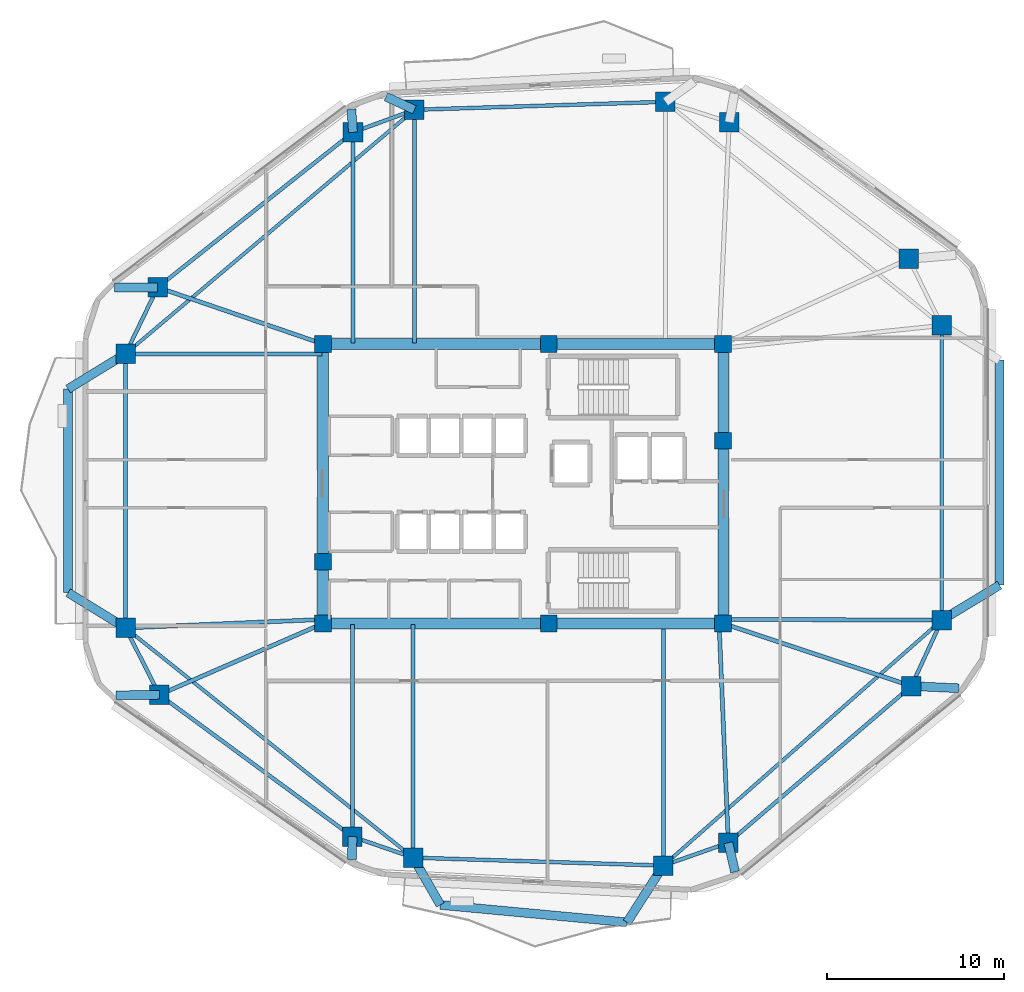
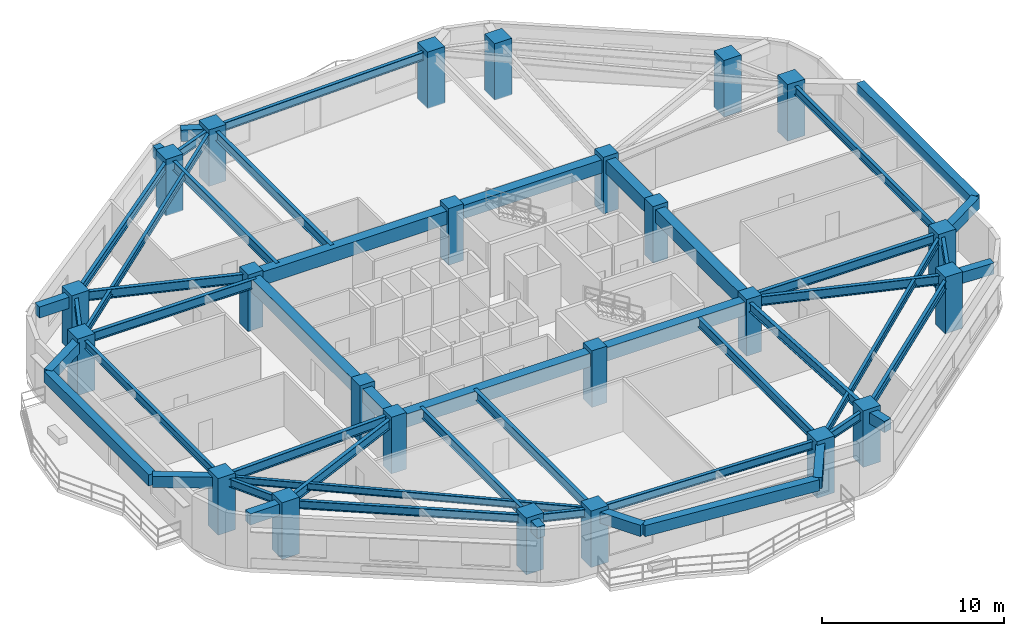
# One storey, part 1 of 9: 51 beams, 24 columns.
"""IFC4 building model written with IfcOpenShell, lengths in metres."""

from ifc_helpers import new_model, si_unit, direction, frame, origin, origin_2d, place, context, subcontext, project, spatial, rectangle, i_section, extrude, material, material_profile, profile_set, type_object, element, save


model = new_model("IFC4")

# Units and contexts
model_context = context("Model", 3, precision=1e-05, world=origin(), true_north=direction((0.0, 1.0)))
body_context = subcontext(model_context, "Body", "Model", "MODEL_VIEW")
ifc_project = project(units=[si_unit("LENGTHUNIT", "METRE"), si_unit("AREAUNIT", "SQUARE_METRE"), si_unit("VOLUMEUNIT", "CUBIC_METRE"), si_unit("PLANEANGLEUNIT", "RADIAN"), si_unit("MASSUNIT", "GRAM", prefix="KILO")], contexts=[model_context])

# Site, building, storey
site_placement = place(None, origin())
site = spatial("IfcSite", under=ifc_project, at=site_placement, CompositionType="ELEMENT")
building_placement = place(site_placement, origin())
building = spatial("IfcBuilding", under=site, at=building_placement, Name="Zulverin Broadcast Headquarters", CompositionType="ELEMENT")
storey_placement = place(building_placement, frame((0.0, 0.0, 144.0)))
storey = spatial("IfcBuildingStorey", under=building, at=storey_placement, Name="L36", CompositionType="ELEMENT", Elevation=144.0)

# Columns
ifc_material_1 = material(Name="Concrete C60/75", Category="concrete")
ifc_material_profile_1 = material_profile(ifc_material_1, rectangle(XDim=1.10009765625, YDim=1.10009765625, at=origin_2d()), Name="Concrete C60/75", Category="concrete")
ifc_profile_set_1 = profile_set([ifc_material_profile_1], Name="Concrete C60/75")
column_type_1 = type_object("IfcColumnType", Name="COL-RC-1100", PredefinedType="COLUMN", material=ifc_profile_set_1)
for number, where, z_axis, x_axis, name in (
    (1, (30.80859375, 4.12744140625, 0.0), (0.0, 0.0, 1.0), (1.0, 0.0, 0.0), "L36 Perimeter Column T01"),
    (2, (44.909912109375, 3.68017578125, 0.0), (0.0, 0.0, 1.0), (1.0, 0.0, 0.0), "L36 Perimeter Column T02"),
    (3, (48.569580078125, 4.967041015625, 0.0), (0.0, 0.0, 1.0), (1.0, 0.0, 0.0), "L36 Perimeter Column T03"),
    (4, (58.886962890625, 13.798095703125, 0.0), (0.0, 0.0, 1.0), (1.0, 0.0, 0.0), "L36 Perimeter Column T04"),
    (5, (60.60009765625, 17.519287109375, 0.0), (0.0, 0.0, 1.0), (1.0, 0.0, 0.0), "L36 Perimeter Column T05"),
    (6, (60.60009765625, 34.12158203125, 0.0), (0.0, 0.0, 1.0), (1.0, 0.0, 0.0), "L36 Perimeter Column T06"),
    (7, (58.738037109375, 37.877685546875, 0.0), (0.0, 0.0, 1.0), (1.0, 0.0, 0.0), "L36 Perimeter Column T07"),
    (8, (48.62158203125, 45.574951171875, 0.0), (0.0, 0.0, 1.0), (1.0, 0.0, 0.0), "L36 Perimeter Column T08"),
    (9, (45.027587890625, 46.7236328125, 0.0), (0.0, 0.0, 1.0), (1.0, 0.0, 0.0), "L36 Perimeter Column T09"),
    (10, (30.882080078125, 46.27490234375, 0.0), (0.0, 0.0, 1.0), (1.0, 0.0, 0.0), "L36 Perimeter Column T10"),
    (11, (27.416259765625, 45.00439453125, 0.0), (0.0, 0.0, 1.0), (1.0, 0.0, 0.0), "L36 Perimeter Column T11"),
    (12, (16.40869140625, 36.26806640625, 0.0), (0.0, 0.0, 1.0), (1.0, 0.0, 0.0), "L36 Perimeter Column T12"),
    (13, (14.60009765625, 32.523193359375, 0.0), (0.0, 0.0, 1.0), (1.0, 0.0, 0.0), "L36 Perimeter Column T13"),
    (14, (14.60009765625, 17.072021484375, 0.0), (0.0, 0.0, 1.0), (1.0, 0.0, 0.0), "L36 Perimeter Column T14"),
    (15, (16.50537109375, 13.306884765625, 0.0), (0.0, 0.0, 1.0), (1.0, 0.0, 0.0), "L36 Perimeter Column T15"),
    (16, (27.38720703125, 5.309814453125, 0.0), (0.0, 0.0, 1.0), (1.0, 0.0, 0.0), "L36 Perimeter Column T16"),
):
    element("IfcColumn", number, at=place(storey_placement, frame(where, z_axis=z_axis, x_axis=x_axis)), inside=storey, type_object=column_type_1, Name=name, PredefinedType="COLUMN", context=body_context, shape_type="SweptSolid", body=[
        extrude(rectangle(XDim=1.10009765625, YDim=1.10009765625, at=origin_2d()), origin(), (0.0, 0.0, 1.0), 3.800048828125),
    ])
ifc_material_2 = material(Name="Concrete C50/60", Category="concrete")
ifc_material_profile_2 = material_profile(ifc_material_2, rectangle(XDim=0.949951171875, YDim=0.949951171875, at=origin_2d()), Name="Concrete C50/60", Category="concrete")
ifc_profile_set_2 = profile_set([ifc_material_profile_2], Name="Concrete C50/60")
column_type_2 = type_object("IfcColumnType", Name="PIL-RC-950", PredefinedType="PILASTER", material=ifc_profile_set_2)
for number, where, z_axis, x_axis, name in (
    (17, (25.72509765625, 17.324951171875, 0.0), (0.0, 0.0, 1.0), (1.0, 0.0, 0.0), "L36 Core Pilaster K01"),
    (18, (38.449951171875, 17.324951171875, 0.0), (0.0, 0.0, 1.0), (1.0, 0.0, 0.0), "L36 Core Pilaster K02"),
    (19, (48.27490234375, 17.324951171875, 0.0), (0.0, 0.0, 1.0), (1.0, 0.0, 0.0), "L36 Core Pilaster K03"),
    (20, (48.27490234375, 27.6201171875, 0.0), (0.0, 0.0, 1.0), (1.0, 0.0, 0.0), "L36 Core Pilaster K04"),
    (21, (48.27490234375, 33.074951171875, 0.0), (0.0, 0.0, 1.0), (1.0, 0.0, 0.0), "L36 Core Pilaster K05"),
    (22, (38.449951171875, 33.074951171875, 0.0), (0.0, 0.0, 1.0), (1.0, 0.0, 0.0), "L36 Core Pilaster K06"),
    (23, (25.72509765625, 33.074951171875, 0.0), (0.0, 0.0, 1.0), (1.0, 0.0, 0.0), "L36 Core Pilaster K07"),
    (24, (25.72509765625, 20.800048828125, 0.0), (0.0, 0.0, 1.0), (1.0, 0.0, 0.0), "L36 Core Pilaster K08"),
):
    element("IfcColumn", number, at=place(storey_placement, frame(where, z_axis=z_axis, x_axis=x_axis)), inside=storey, type_object=column_type_2, Name=name, PredefinedType="PILASTER", context=body_context, shape_type="SweptSolid", body=[
        extrude(rectangle(XDim=0.949951171875, YDim=0.949951171875, at=origin_2d()), origin(), (0.0, 0.0, 1.0), 3.800048828125),
    ])

# Beams
ifc_material_profile_3 = material_profile(ifc_material_1, rectangle(XDim=0.60009765625, YDim=0.89990234375, at=origin_2d()), Name="Concrete C60/75", Category="concrete")
ifc_profile_set_3 = profile_set([ifc_material_profile_3], Name="Concrete C60/75")
beam_type_1 = type_object("IfcBeamType", Name="BM-CB-600x900", PredefinedType="LINTEL", material=ifc_profile_set_3)
beam_1_placement = place(storey_placement, frame((25.72509765625, 17.324951171875, 3.090087890625), z_axis=(1.0, 0.0, 0.0), x_axis=(0.0, 1.0, 0.0)))
element("IfcBeam", 25, at=beam_1_placement, inside=storey, type_object=beam_type_1, Name="L36 Core Coupling Girder K01-K02", PredefinedType="LINTEL", context=body_context, shape_type="SweptSolid", body=[
    extrude(rectangle(XDim=0.60009765625, YDim=0.89990234375, at=origin_2d()), origin(), (0.0, 0.0, 1.0), 12.724853515625),
])
beam_2_placement = place(storey_placement, frame((38.449951171875, 17.324951171875, 3.090087890625), z_axis=(1.0, 0.0, 0.0), x_axis=(0.0, 1.0, 0.0)))
element("IfcBeam", 26, at=beam_2_placement, inside=storey, type_object=beam_type_1, Name="L36 Core Coupling Girder K02-K03", PredefinedType="LINTEL", context=body_context, shape_type="SweptSolid", body=[
    extrude(rectangle(XDim=0.60009765625, YDim=0.89990234375, at=origin_2d()), origin(), (0.0, 0.0, 1.0), 9.824951171875),
])
beam_3_placement = place(storey_placement, frame((48.27490234375, 17.324951171875, 3.090087890625), z_axis=(0.0, 1.0, 0.0), x_axis=(-1.0, 0.0, 0.0)))
element("IfcBeam", 27, at=beam_3_placement, inside=storey, type_object=beam_type_1, Name="L36 Core Coupling Girder K03-K04", PredefinedType="LINTEL", context=body_context, shape_type="SweptSolid", body=[
    extrude(rectangle(XDim=0.60009765625, YDim=0.89990234375, at=origin_2d()), origin(), (0.0, 0.0, 1.0), 10.295166015625),
])
beam_4_placement = place(storey_placement, frame((48.27490234375, 27.6201171875, 3.090087890625), z_axis=(0.0, 1.0, 0.0), x_axis=(-1.0, 0.0, 0.0)))
element("IfcBeam", 28, at=beam_4_placement, inside=storey, type_object=beam_type_1, Name="L36 Core Coupling Girder K04-K05", PredefinedType="LINTEL", context=body_context, shape_type="SweptSolid", body=[
    extrude(rectangle(XDim=0.60009765625, YDim=0.89990234375, at=origin_2d()), origin(), (0.0, 0.0, 1.0), 5.454833984375),
])
beam_5_placement = place(storey_placement, frame((48.27490234375, 33.074951171875, 3.090087890625), z_axis=(-1.0, 0.0, 0.0), x_axis=(0.0, -1.0, 0.0)))
element("IfcBeam", 29, at=beam_5_placement, inside=storey, type_object=beam_type_1, Name="L36 Core Coupling Girder K05-K06", PredefinedType="LINTEL", context=body_context, shape_type="SweptSolid", body=[
    extrude(rectangle(XDim=0.60009765625, YDim=0.89990234375, at=origin_2d()), origin(), (0.0, 0.0, 1.0), 9.824951171875),
])
beam_6_placement = place(storey_placement, frame((38.449951171875, 33.074951171875, 3.090087890625), z_axis=(-1.0, 0.0, 0.0), x_axis=(0.0, -1.0, 0.0)))
element("IfcBeam", 30, at=beam_6_placement, inside=storey, type_object=beam_type_1, Name="L36 Core Coupling Girder K06-K07", PredefinedType="LINTEL", context=body_context, shape_type="SweptSolid", body=[
    extrude(rectangle(XDim=0.60009765625, YDim=0.89990234375, at=origin_2d()), origin(), (0.0, 0.0, 1.0), 12.724853515625),
])
beam_7_placement = place(storey_placement, frame((25.72509765625, 33.074951171875, 3.090087890625), z_axis=(0.0, -1.0, 0.0), x_axis=(1.0, 0.0, 0.0)))
element("IfcBeam", 31, at=beam_7_placement, inside=storey, type_object=beam_type_1, Name="L36 Core Coupling Girder K07-K08", PredefinedType="LINTEL", context=body_context, shape_type="SweptSolid", body=[
    extrude(rectangle(XDim=0.60009765625, YDim=0.89990234375, at=origin_2d()), origin(), (0.0, 0.0, 1.0), 12.27490234375),
])
beam_8_placement = place(storey_placement, frame((25.72509765625, 20.800048828125, 3.090087890625), z_axis=(0.0, -1.0, 0.0), x_axis=(1.0, 0.0, 0.0)))
element("IfcBeam", 32, at=beam_8_placement, inside=storey, type_object=beam_type_1, Name="L36 Core Coupling Girder K08-K01", PredefinedType="LINTEL", context=body_context, shape_type="SweptSolid", body=[
    extrude(rectangle(XDim=0.60009765625, YDim=0.89990234375, at=origin_2d()), origin(), (0.0, 0.0, 1.0), 3.47509765625),
])
ifc_material_3 = material(Name="Concrete C40/50", Category="concrete")
ifc_material_profile_4 = material_profile(ifc_material_3, rectangle(XDim=0.5, YDim=0.75, at=origin_2d()), Name="Concrete C40/50", Category="concrete")
ifc_profile_set_4 = profile_set([ifc_material_profile_4], Name="Concrete C40/50")
beam_type_2 = type_object("IfcBeamType", Name="BM-RC-500x750", PredefinedType="BEAM", material=ifc_profile_set_4)
beam_9_placement = place(storey_placement, frame((48.569580078125, 4.967041015625, 3.1650390625), z_axis=(0.224096721795, -0.974566908571, 0.0), x_axis=(0.974566908571, 0.224096721795, 0.0)))
element("IfcBeam", 33, at=beam_9_placement, inside=storey, type_object=beam_type_2, Name="L37 Plate Overhang Back-Spanned Beam OVR-03", PredefinedType="BEAM", context=body_context, shape_type="SweptSolid", body=[
    extrude(rectangle(XDim=0.5, YDim=0.75, at=origin_2d()), origin(), (0.0, 0.0, 1.0), 1.68310546875),
])
beam_10_placement = place(storey_placement, frame((58.886962890625, 13.798095703125, 3.1650390625), z_axis=(0.998923539617, -0.046387088715, 0.0), x_axis=(0.046387088715, 0.998923539617, 0.0)))
element("IfcBeam", 34, at=beam_10_placement, inside=storey, type_object=beam_type_2, Name="L37 Plate Overhang Back-Spanned Beam OVR-04", PredefinedType="BEAM", context=body_context, shape_type="SweptSolid", body=[
    extrude(rectangle(XDim=0.5, YDim=0.75, at=origin_2d()), origin(), (0.0, 0.0, 1.0), 2.66845703125),
])
beam_11_placement = place(storey_placement, frame((30.882080078125, 46.27490234375, 3.1650390625), z_axis=(-0.908567315104, 0.417738475514, 0.0), x_axis=(-0.417738475514, -0.908567315104, 0.0)))
element("IfcBeam", 35, at=beam_11_placement, inside=storey, type_object=beam_type_2, Name="L37 Plate Overhang Back-Spanned Beam OVR-10", PredefinedType="BEAM", context=body_context, shape_type="SweptSolid", body=[
    extrude(rectangle(XDim=0.5, YDim=0.75, at=origin_2d()), origin(), (0.0, 0.0, 1.0), 1.76025390625),
])
beam_12_placement = place(storey_placement, frame((27.416259765625, 45.00439453125, 3.1650390625), z_axis=(-0.068312581643, 0.99766396707, 0.0), x_axis=(-0.99766396707, -0.068312581643, 0.0)))
element("IfcBeam", 36, at=beam_12_placement, inside=storey, type_object=beam_type_2, Name="L37 Plate Overhang Back-Spanned Beam OVR-11", PredefinedType="BEAM", context=body_context, shape_type="SweptSolid", body=[
    extrude(rectangle(XDim=0.5, YDim=0.75, at=origin_2d()), origin(), (0.0, 0.0, 1.0), 1.30078125),
])
beam_13_placement = place(storey_placement, frame((16.40869140625, 36.26806640625, 3.1650390625), z_axis=(-0.999988487108, -0.004798505187, 0.0), x_axis=(0.004798505187, -0.999988487108, 0.0)))
element("IfcBeam", 37, at=beam_13_placement, inside=storey, type_object=beam_type_2, Name="L37 Plate Overhang Back-Spanned Beam OVR-12", PredefinedType="BEAM", context=body_context, shape_type="SweptSolid", body=[
    extrude(rectangle(XDim=0.5, YDim=0.75, at=origin_2d()), origin(), (0.0, 0.0, 1.0), 2.442138671875),
])
beam_14_placement = place(storey_placement, frame((16.50537109375, 13.306884765625, 3.1650390625), z_axis=(-0.999905564875, -0.013742682824, 0.0), x_axis=(0.013742682824, -0.999905564875, 0.0)))
element("IfcBeam", 38, at=beam_14_placement, inside=storey, type_object=beam_type_2, Name="L37 Plate Overhang Back-Spanned Beam OVR-15", PredefinedType="BEAM", context=body_context, shape_type="SweptSolid", body=[
    extrude(rectangle(XDim=0.5, YDim=0.75, at=origin_2d()), origin(), (0.0, 0.0, 1.0), 2.433837890625),
])
beam_15_placement = place(storey_placement, frame((27.38720703125, 5.309814453125, 3.1650390625), z_axis=(-0.025087158809, -0.999685267703, 0.0), x_axis=(0.999685267703, -0.025087158809, 0.0)))
element("IfcBeam", 39, at=beam_15_placement, inside=storey, type_object=beam_type_2, Name="L37 Plate Overhang Back-Spanned Beam OVR-16", PredefinedType="BEAM", context=body_context, shape_type="SweptSolid", body=[
    extrude(rectangle(XDim=0.5, YDim=0.75, at=origin_2d()), origin(), (0.0, 0.0, 1.0), 1.28466796875),
])
beam_16_placement = place(storey_placement, frame((60.60009765625, 17.519287109375, 3.1650390625), z_axis=(0.856009727797, 0.516959714017, 0.0), x_axis=(-0.516959714017, 0.856009727797, 0.0)))
element("IfcBeam", 40, at=beam_16_placement, inside=storey, type_object=beam_type_2, Name="L37 Balcony Column-Framed Cantilever BAL_E-1", PredefinedType="BEAM", context=body_context, shape_type="SweptSolid", body=[
    extrude(rectangle(XDim=0.5, YDim=0.75, at=origin_2d()), origin(), (0.0, 0.0, 1.0), 3.7998046875),
])
beam_17_placement = place(storey_placement, frame((63.852783203125, 19.483642578125, 3.1650390625), z_axis=(0.000173323573, 0.999999984979, 0.0), x_axis=(-0.999999984979, 0.000173323573, 0.0)))
element("IfcBeam", 41, at=beam_17_placement, inside=storey, type_object=beam_type_2, Name="L37 Balcony Outer Edge Trimmer Beam BAL_E", PredefinedType="BEAM", context=body_context, shape_type="SweptSolid", body=[
    extrude(rectangle(XDim=0.5, YDim=0.75, at=origin_2d()), origin(), (0.0, 0.0, 1.0), 12.67724609375),
])
beam_18_placement = place(storey_placement, frame((30.80859375, 4.12744140625, 3.1650390625), z_axis=(0.49807232436, -0.867135490974, 0.0), x_axis=(0.867135490974, 0.49807232436, 0.0)))
element("IfcBeam", 42, at=beam_18_placement, inside=storey, type_object=beam_type_2, Name="L37 Balcony Column-Framed Cantilever BAL_S-1", PredefinedType="BEAM", context=body_context, shape_type="SweptSolid", body=[
    extrude(rectangle(XDim=0.5, YDim=0.75, at=origin_2d()), origin(), (0.0, 0.0, 1.0), 3.071533203125),
])
beam_19_placement = place(storey_placement, frame((44.909912109375, 3.68017578125, 3.1650390625), z_axis=(-0.53993580069, -0.841706202385, 0.0), x_axis=(0.841706202385, -0.53993580069, 0.0)))
element("IfcBeam", 43, at=beam_19_placement, inside=storey, type_object=beam_type_2, Name="L37 Balcony Column-Framed Cantilever BAL_S-2", PredefinedType="BEAM", context=body_context, shape_type="SweptSolid", body=[
    extrude(rectangle(XDim=0.5, YDim=0.75, at=origin_2d()), origin(), (0.0, 0.0, 1.0), 3.800048828125),
])
beam_20_placement = place(storey_placement, frame((32.33837890625, 1.464111328125, 3.1650390625), z_axis=(0.995667648465, -0.092983513598, 0.0), x_axis=(0.092983513598, 0.995667648465, 0.0)))
element("IfcBeam", 44, at=beam_20_placement, inside=storey, type_object=beam_type_2, Name="L37 Balcony Outer Edge Trimmer Beam BAL_S", PredefinedType="BEAM", context=body_context, shape_type="SweptSolid", body=[
    extrude(rectangle(XDim=0.5, YDim=0.75, at=origin_2d()), origin(), (0.0, 0.0, 1.0), 10.5654296875),
])
beam_21_placement = place(storey_placement, frame((14.60009765625, 32.523193359375, 3.1650390625), z_axis=(-0.852717571214, -0.522372227194, 0.0), x_axis=(0.522372227194, -0.852717571214, 0.0)))
element("IfcBeam", 45, at=beam_21_placement, inside=storey, type_object=beam_type_2, Name="L37 Balcony Column-Framed Cantilever BAL_W-1", PredefinedType="BEAM", context=body_context, shape_type="SweptSolid", body=[
    extrude(rectangle(XDim=0.5, YDim=0.75, at=origin_2d()), origin(), (0.0, 0.0, 1.0), 3.80029296875),
])
beam_22_placement = place(storey_placement, frame((14.60009765625, 17.072021484375, 3.1650390625), z_axis=(-0.851870018849, 0.523753253915, 0.0), x_axis=(-0.523753253915, -0.851870018849, 0.0)))
element("IfcBeam", 46, at=beam_22_placement, inside=storey, type_object=beam_type_2, Name="L37 Balcony Column-Framed Cantilever BAL_W-2", PredefinedType="BEAM", context=body_context, shape_type="SweptSolid", body=[
    extrude(rectangle(XDim=0.5, YDim=0.75, at=origin_2d()), origin(), (0.0, 0.0, 1.0), 3.800048828125),
])
beam_23_placement = place(storey_placement, frame((11.359619140625, 30.5380859375, 3.1650390625), z_axis=(0.000297840642, -0.999999955645, 0.0), x_axis=(0.999999955645, 0.000297840642, 0.0)))
element("IfcBeam", 47, at=beam_23_placement, inside=storey, type_object=beam_type_2, Name="L37 Balcony Outer Edge Trimmer Beam BAL_W", PredefinedType="BEAM", context=body_context, shape_type="SweptSolid", body=[
    extrude(rectangle(XDim=0.5, YDim=0.75, at=origin_2d()), origin(), (0.0, 0.0, 1.0), 11.475830078125),
])
ifc_material_4 = material(Name="Structural steel S355JR", Category="steel")
ifc_material_profile_5 = material_profile(ifc_material_4, i_section(OverallWidth=0.19287109375, OverallDepth=0.46728515625, WebThickness=0.011474609375, FlangeThickness=0.01953125, at=origin_2d()), Name="Structural steel S355JR", Category="steel")
ifc_profile_set_5 = profile_set([ifc_material_profile_5], Name="Structural steel S355JR")
beam_type_3 = type_object("IfcBeamType", Name="BM-UB-457", PredefinedType="JOIST", material=ifc_profile_set_5)
beam_24_placement = place(storey_placement, frame((44.909912109375, 3.68017578125, 3.306396484375), z_axis=(0.74996043981, 0.661482682102, 0.0), x_axis=(-0.661482682102, 0.74996043981, 0.0)))
element("IfcBeam", 48, at=beam_24_placement, inside=storey, type_object=beam_type_3, Name="L36 Chordal Floor Joist J-01", PredefinedType="JOIST", context=body_context, shape_type="SweptSolid", body=[
    extrude(i_section(OverallWidth=0.19287109375, OverallDepth=0.46728515625, WebThickness=0.011474609375, FlangeThickness=0.01953125, at=origin_2d()), origin(), (0.0, 0.0, 1.0), 20.92138671875),
])
beam_25_placement = place(storey_placement, frame((30.882080078125, 46.27490234375, 3.306396484375), z_axis=(-0.763972566446, -0.645248725468, 0.0), x_axis=(0.645248725468, -0.763972566446, 0.0)))
element("IfcBeam", 49, at=beam_25_placement, inside=storey, type_object=beam_type_3, Name="L36 Chordal Floor Joist J-03", PredefinedType="JOIST", context=body_context, shape_type="SweptSolid", body=[
    extrude(i_section(OverallWidth=0.19287109375, OverallDepth=0.46728515625, WebThickness=0.011474609375, FlangeThickness=0.01953125, at=origin_2d()), origin(), (0.0, 0.0, 1.0), 21.312255859375),
])
beam_26_placement = place(storey_placement, frame((14.60009765625, 17.072021484375, 3.306396484375), z_axis=(0.781390996609, -0.624041753746, 0.0), x_axis=(0.624041753746, 0.781390996609, 0.0)))
element("IfcBeam", 50, at=beam_26_placement, inside=storey, type_object=beam_type_3, Name="L36 Chordal Floor Joist J-04", PredefinedType="JOIST", context=body_context, shape_type="SweptSolid", body=[
    extrude(i_section(OverallWidth=0.19287109375, OverallDepth=0.46728515625, WebThickness=0.011474609375, FlangeThickness=0.01953125, at=origin_2d()), origin(), (0.0, 0.0, 1.0), 20.7431640625),
])
ifc_material_profile_6 = material_profile(ifc_material_4, i_section(OverallWidth=0.2119140625, OverallDepth=0.54443359375, WebThickness=0.0126953125, FlangeThickness=0.021240234375, at=origin_2d()), Name="Structural steel S355JR", Category="steel")
ifc_profile_set_6 = profile_set([ifc_material_profile_6], Name="Structural steel S355JR")
beam_type_4 = type_object("IfcBeamType", Name="BM-UB-533", PredefinedType="SPANDREL", material=ifc_profile_set_6)
beam_27_placement = place(storey_placement, frame((30.80859375, 4.12744140625, 3.267578125), z_axis=(0.999497363437, -0.031702058031, 0.0), x_axis=(0.031702058031, 0.999497363437, 0.0)))
element("IfcBeam", 51, at=beam_27_placement, inside=storey, type_object=beam_type_4, Name="L36 Perimeter Spandrel Beam SP-01", PredefinedType="SPANDREL", context=body_context, shape_type="SweptSolid", body=[
    extrude(i_section(OverallWidth=0.2119140625, OverallDepth=0.54443359375, WebThickness=0.0126953125, FlangeThickness=0.021240234375, at=origin_2d()), origin(), (0.0, 0.0, 1.0), 14.1083984375),
])
beam_28_placement = place(storey_placement, frame((44.909912109375, 3.68017578125, 3.267578125), z_axis=(0.943376593622, 0.331723684121, 0.0), x_axis=(-0.331723684121, 0.943376593622, 0.0)))
element("IfcBeam", 52, at=beam_28_placement, inside=storey, type_object=beam_type_4, Name="L36 Perimeter Spandrel Beam SP-02", PredefinedType="SPANDREL", context=body_context, shape_type="SweptSolid", body=[
    extrude(i_section(OverallWidth=0.2119140625, OverallDepth=0.54443359375, WebThickness=0.0126953125, FlangeThickness=0.021240234375, at=origin_2d()), origin(), (0.0, 0.0, 1.0), 3.87939453125),
])
beam_29_placement = place(storey_placement, frame((48.569580078125, 4.967041015625, 3.267578125), z_axis=(0.759708170965, 0.650264173217, 0.0), x_axis=(-0.650264173217, 0.759708170965, 0.0)))
element("IfcBeam", 53, at=beam_29_placement, inside=storey, type_object=beam_type_4, Name="L36 Perimeter Spandrel Beam SP-03", PredefinedType="SPANDREL", context=body_context, shape_type="SweptSolid", body=[
    extrude(i_section(OverallWidth=0.2119140625, OverallDepth=0.54443359375, WebThickness=0.0126953125, FlangeThickness=0.021240234375, at=origin_2d()), origin(), (0.0, 0.0, 1.0), 13.580810546875),
])
beam_30_placement = place(storey_placement, frame((58.886962890625, 13.798095703125, 3.267578125), z_axis=(0.418184975358, 0.90836189175, 0.0), x_axis=(-0.90836189175, 0.418184975358, 0.0)))
element("IfcBeam", 54, at=beam_30_placement, inside=storey, type_object=beam_type_4, Name="L36 Perimeter Spandrel Beam SP-04", PredefinedType="SPANDREL", context=body_context, shape_type="SweptSolid", body=[
    extrude(i_section(OverallWidth=0.2119140625, OverallDepth=0.54443359375, WebThickness=0.0126953125, FlangeThickness=0.021240234375, at=origin_2d()), origin(), (0.0, 0.0, 1.0), 4.0966796875),
])
beam_31_placement = place(storey_placement, frame((60.60009765625, 17.519287109375, 3.267578125), z_axis=(0.0, 1.0, 0.0), x_axis=(-1.0, 0.0, 0.0)))
element("IfcBeam", 55, at=beam_31_placement, inside=storey, type_object=beam_type_4, Name="L36 Perimeter Spandrel Beam SP-05", PredefinedType="SPANDREL", context=body_context, shape_type="SweptSolid", body=[
    extrude(i_section(OverallWidth=0.2119140625, OverallDepth=0.54443359375, WebThickness=0.0126953125, FlangeThickness=0.021240234375, at=origin_2d()), origin(), (0.0, 0.0, 1.0), 16.602294921875),
])
beam_32_placement = place(storey_placement, frame((45.027587890625, 46.7236328125, 3.267578125), z_axis=(-0.999497221833, -0.031706522156, 0.0), x_axis=(0.031706522156, -0.999497221833, 0.0)))
element("IfcBeam", 56, at=beam_32_placement, inside=storey, type_object=beam_type_4, Name="L36 Perimeter Spandrel Beam SP-09", PredefinedType="SPANDREL", context=body_context, shape_type="SweptSolid", body=[
    extrude(i_section(OverallWidth=0.2119140625, OverallDepth=0.54443359375, WebThickness=0.0126953125, FlangeThickness=0.021240234375, at=origin_2d()), origin(), (0.0, 0.0, 1.0), 14.152587890625),
])
beam_33_placement = place(storey_placement, frame((30.882080078125, 46.27490234375, 3.267578125), z_axis=(-0.938901965426, -0.344184687805, 0.0), x_axis=(0.344184687805, -0.938901965426, 0.0)))
element("IfcBeam", 57, at=beam_33_placement, inside=storey, type_object=beam_type_4, Name="L36 Perimeter Spandrel Beam SP-10", PredefinedType="SPANDREL", context=body_context, shape_type="SweptSolid", body=[
    extrude(i_section(OverallWidth=0.2119140625, OverallDepth=0.54443359375, WebThickness=0.0126953125, FlangeThickness=0.021240234375, at=origin_2d()), origin(), (0.0, 0.0, 1.0), 3.69140625),
])
beam_34_placement = place(storey_placement, frame((27.416259765625, 45.00439453125, 3.267578125), z_axis=(-0.783283263401, -0.621664965457, 0.0), x_axis=(0.621664965457, -0.783283263401, 0.0)))
element("IfcBeam", 58, at=beam_34_placement, inside=storey, type_object=beam_type_4, Name="L36 Perimeter Spandrel Beam SP-11", PredefinedType="SPANDREL", context=body_context, shape_type="SweptSolid", body=[
    extrude(i_section(OverallWidth=0.2119140625, OverallDepth=0.54443359375, WebThickness=0.0126953125, FlangeThickness=0.021240234375, at=origin_2d()), origin(), (0.0, 0.0, 1.0), 14.05322265625),
])
beam_35_placement = place(storey_placement, frame((16.40869140625, 36.26806640625, 3.267578125), z_axis=(-0.434890248034, -0.900483465792, 0.0), x_axis=(0.900483465792, -0.434890248034, 0.0)))
element("IfcBeam", 59, at=beam_35_placement, inside=storey, type_object=beam_type_4, Name="L36 Perimeter Spandrel Beam SP-12", PredefinedType="SPANDREL", context=body_context, shape_type="SweptSolid", body=[
    extrude(i_section(OverallWidth=0.2119140625, OverallDepth=0.54443359375, WebThickness=0.0126953125, FlangeThickness=0.021240234375, at=origin_2d()), origin(), (0.0, 0.0, 1.0), 4.15869140625),
])
beam_36_placement = place(storey_placement, frame((14.60009765625, 32.523193359375, 3.267578125), z_axis=(0.0, -1.0, 0.0), x_axis=(1.0, 0.0, 0.0)))
element("IfcBeam", 60, at=beam_36_placement, inside=storey, type_object=beam_type_4, Name="L36 Perimeter Spandrel Beam SP-13", PredefinedType="SPANDREL", context=body_context, shape_type="SweptSolid", body=[
    extrude(i_section(OverallWidth=0.2119140625, OverallDepth=0.54443359375, WebThickness=0.0126953125, FlangeThickness=0.021240234375, at=origin_2d()), origin(), (0.0, 0.0, 1.0), 15.451171875),
])
beam_37_placement = place(storey_placement, frame((14.60009765625, 17.072021484375, 3.267578125), z_axis=(0.451512947895, -0.892264567201, 0.0), x_axis=(0.892264567201, 0.451512947895, 0.0)))
element("IfcBeam", 61, at=beam_37_placement, inside=storey, type_object=beam_type_4, Name="L36 Perimeter Spandrel Beam SP-14", PredefinedType="SPANDREL", context=body_context, shape_type="SweptSolid", body=[
    extrude(i_section(OverallWidth=0.2119140625, OverallDepth=0.54443359375, WebThickness=0.0126953125, FlangeThickness=0.021240234375, at=origin_2d()), origin(), (0.0, 0.0, 1.0), 4.2197265625),
])
beam_38_placement = place(storey_placement, frame((16.50537109375, 13.306884765625, 3.267578125), z_axis=(0.805802234061, -0.592184734338, 0.0), x_axis=(0.592184734338, 0.805802234061, 0.0)))
element("IfcBeam", 62, at=beam_38_placement, inside=storey, type_object=beam_type_4, Name="L36 Perimeter Spandrel Beam SP-15", PredefinedType="SPANDREL", context=body_context, shape_type="SweptSolid", body=[
    extrude(i_section(OverallWidth=0.2119140625, OverallDepth=0.54443359375, WebThickness=0.0126953125, FlangeThickness=0.021240234375, at=origin_2d()), origin(), (0.0, 0.0, 1.0), 13.50439453125),
])
beam_39_placement = place(storey_placement, frame((27.38720703125, 5.309814453125, 3.267578125), z_axis=(0.945152732867, -0.326628705956, 0.0), x_axis=(0.326628705956, 0.945152732867, 0.0)))
element("IfcBeam", 63, at=beam_39_placement, inside=storey, type_object=beam_type_4, Name="L36 Perimeter Spandrel Beam SP-16", PredefinedType="SPANDREL", context=body_context, shape_type="SweptSolid", body=[
    extrude(i_section(OverallWidth=0.2119140625, OverallDepth=0.54443359375, WebThickness=0.0126953125, FlangeThickness=0.021240234375, at=origin_2d()), origin(), (0.0, 0.0, 1.0), 3.619873046875),
])
ifc_material_profile_7 = material_profile(ifc_material_4, i_section(OverallWidth=0.230224609375, OverallDepth=0.6171875, WebThickness=0.01318359375, FlangeThickness=0.022216796875, at=origin_2d()), Name="Structural steel S355JR", Category="steel")
ifc_profile_set_7 = profile_set([ifc_material_profile_7], Name="Structural steel S355JR")
beam_type_5 = type_object("IfcBeamType", Name="BM-UB-610", PredefinedType="BEAM", material=ifc_profile_set_7)
beam_40_placement = place(storey_placement, frame((30.80859375, 17.27490234375, 3.2314453125), z_axis=(0.0, -1.0, 0.0), x_axis=(1.0, 0.0, 0.0)))
element("IfcBeam", 64, at=beam_40_placement, inside=storey, type_object=beam_type_5, Name="L36 Radial Primary Floor Beam RB-01", PredefinedType="BEAM", context=body_context, shape_type="SweptSolid", body=[
    extrude(i_section(OverallWidth=0.230224609375, OverallDepth=0.6171875, WebThickness=0.01318359375, FlangeThickness=0.022216796875, at=origin_2d()), origin(), (0.0, 0.0, 1.0), 13.1474609375),
])
beam_41_placement = place(storey_placement, frame((44.909912109375, 17.27490234375, 3.2314453125), z_axis=(0.0, -1.0, 0.0), x_axis=(1.0, 0.0, 0.0)))
element("IfcBeam", 65, at=beam_41_placement, inside=storey, type_object=beam_type_5, Name="L36 Radial Primary Floor Beam RB-02", PredefinedType="BEAM", context=body_context, shape_type="SweptSolid", body=[
    extrude(i_section(OverallWidth=0.230224609375, OverallDepth=0.6171875, WebThickness=0.01318359375, FlangeThickness=0.022216796875, at=origin_2d()), origin(), (0.0, 0.0, 1.0), 13.5947265625),
])
beam_42_placement = place(storey_placement, frame((48.050048828125, 17.27490234375, 3.2314453125), z_axis=(0.042173778549, -0.99911029041, 0.0), x_axis=(0.99911029041, 0.042173778549, 0.0)))
element("IfcBeam", 66, at=beam_42_placement, inside=storey, type_object=beam_type_5, Name="L36 Radial Primary Floor Beam RB-03", PredefinedType="BEAM", context=body_context, shape_type="SweptSolid", body=[
    extrude(i_section(OverallWidth=0.230224609375, OverallDepth=0.6171875, WebThickness=0.01318359375, FlangeThickness=0.022216796875, at=origin_2d()), origin(), (0.0, 0.0, 1.0), 12.31884765625),
])
beam_43_placement = place(storey_placement, frame((48.27490234375, 17.324951171875, 3.2314453125), z_axis=(0.948964552547, -0.315382748432, 0.0), x_axis=(0.315382748432, 0.948964552547, 0.0)))
element("IfcBeam", 67, at=beam_43_placement, inside=storey, type_object=beam_type_5, Name="L36 Radial Primary Floor Beam RB-04", PredefinedType="BEAM", context=body_context, shape_type="SweptSolid", body=[
    extrude(i_section(OverallWidth=0.230224609375, OverallDepth=0.6171875, WebThickness=0.01318359375, FlangeThickness=0.022216796875, at=origin_2d()), origin(), (0.0, 0.0, 1.0), 11.182861328125),
])
beam_44_placement = place(storey_placement, frame((48.324951171875, 17.550048828125, 3.2314453125), z_axis=(0.999996859956, -0.002506008559, 0.0), x_axis=(0.002506008559, 0.999996859956, 0.0)))
element("IfcBeam", 68, at=beam_44_placement, inside=storey, type_object=beam_type_5, Name="L36 Radial Primary Floor Beam RB-05", PredefinedType="BEAM", context=body_context, shape_type="SweptSolid", body=[
    extrude(i_section(OverallWidth=0.230224609375, OverallDepth=0.6171875, WebThickness=0.01318359375, FlangeThickness=0.022216796875, at=origin_2d()), origin(), (0.0, 0.0, 1.0), 12.275146484375),
])
beam_45_placement = place(storey_placement, frame((30.882080078125, 33.125, 3.2314453125), z_axis=(0.0, 1.0, 0.0), x_axis=(-1.0, 0.0, 0.0)))
element("IfcBeam", 69, at=beam_45_placement, inside=storey, type_object=beam_type_5, Name="L36 Radial Primary Floor Beam RB-10", PredefinedType="BEAM", context=body_context, shape_type="SweptSolid", body=[
    extrude(i_section(OverallWidth=0.230224609375, OverallDepth=0.6171875, WebThickness=0.01318359375, FlangeThickness=0.022216796875, at=origin_2d()), origin(), (0.0, 0.0, 1.0), 13.14990234375),
])
beam_46_placement = place(storey_placement, frame((27.416259765625, 33.125, 3.2314453125), z_axis=(0.0, 1.0, 0.0), x_axis=(-1.0, 0.0, 0.0)))
element("IfcBeam", 70, at=beam_46_placement, inside=storey, type_object=beam_type_5, Name="L36 Radial Primary Floor Beam RB-11", PredefinedType="BEAM", context=body_context, shape_type="SweptSolid", body=[
    extrude(i_section(OverallWidth=0.230224609375, OverallDepth=0.6171875, WebThickness=0.01318359375, FlangeThickness=0.022216796875, at=origin_2d()), origin(), (0.0, 0.0, 1.0), 11.87939453125),
])
beam_47_placement = place(storey_placement, frame((25.72509765625, 33.074951171875, 3.2314453125), z_axis=(-0.945979621685, 0.324226086793, 0.0), x_axis=(-0.324226086793, -0.945979621685, 0.0)))
element("IfcBeam", 71, at=beam_47_placement, inside=storey, type_object=beam_type_5, Name="L36 Radial Primary Floor Beam RB-12", PredefinedType="BEAM", context=body_context, shape_type="SweptSolid", body=[
    extrude(i_section(OverallWidth=0.230224609375, OverallDepth=0.6171875, WebThickness=0.01318359375, FlangeThickness=0.022216796875, at=origin_2d()), origin(), (0.0, 0.0, 1.0), 9.848388671875),
])
beam_48_placement = place(storey_placement, frame((25.675048828125, 32.523193359375, 3.2314453125), z_axis=(-1.0, 0.0, 0.0), x_axis=(0.0, -1.0, 0.0)))
element("IfcBeam", 72, at=beam_48_placement, inside=storey, type_object=beam_type_5, Name="L36 Radial Primary Floor Beam RB-13", PredefinedType="BEAM", context=body_context, shape_type="SweptSolid", body=[
    extrude(i_section(OverallWidth=0.230224609375, OverallDepth=0.6171875, WebThickness=0.01318359375, FlangeThickness=0.022216796875, at=origin_2d()), origin(), (0.0, 0.0, 1.0), 11.074951171875),
])
beam_49_placement = place(storey_placement, frame((25.675048828125, 17.550048828125, 3.2314453125), z_axis=(-0.999069780306, -0.043122779134, 0.0), x_axis=(0.043122779134, -0.999069780306, 0.0)))
element("IfcBeam", 73, at=beam_49_placement, inside=storey, type_object=beam_type_5, Name="L36 Radial Primary Floor Beam RB-14", PredefinedType="BEAM", context=body_context, shape_type="SweptSolid", body=[
    extrude(i_section(OverallWidth=0.230224609375, OverallDepth=0.6171875, WebThickness=0.01318359375, FlangeThickness=0.022216796875, at=origin_2d()), origin(), (0.0, 0.0, 1.0), 11.085205078125),
])
beam_50_placement = place(storey_placement, frame((25.72509765625, 17.324951171875, 3.2314453125), z_axis=(-0.916724690104, -0.39951951461, 0.0), x_axis=(0.39951951461, -0.916724690104, 0.0)))
element("IfcBeam", 74, at=beam_50_placement, inside=storey, type_object=beam_type_5, Name="L36 Radial Primary Floor Beam RB-15", PredefinedType="BEAM", context=body_context, shape_type="SweptSolid", body=[
    extrude(i_section(OverallWidth=0.230224609375, OverallDepth=0.6171875, WebThickness=0.01318359375, FlangeThickness=0.022216796875, at=origin_2d()), origin(), (0.0, 0.0, 1.0), 10.05712890625),
])
beam_51_placement = place(storey_placement, frame((27.38720703125, 17.27490234375, 3.2314453125), z_axis=(0.0, -1.0, 0.0), x_axis=(1.0, 0.0, 0.0)))
element("IfcBeam", 75, at=beam_51_placement, inside=storey, type_object=beam_type_5, Name="L36 Radial Primary Floor Beam RB-16", PredefinedType="BEAM", context=body_context, shape_type="SweptSolid", body=[
    extrude(i_section(OverallWidth=0.230224609375, OverallDepth=0.6171875, WebThickness=0.01318359375, FlangeThickness=0.022216796875, at=origin_2d()), origin(), (0.0, 0.0, 1.0), 11.965087890625),
])

save(model, "model.ifc")
